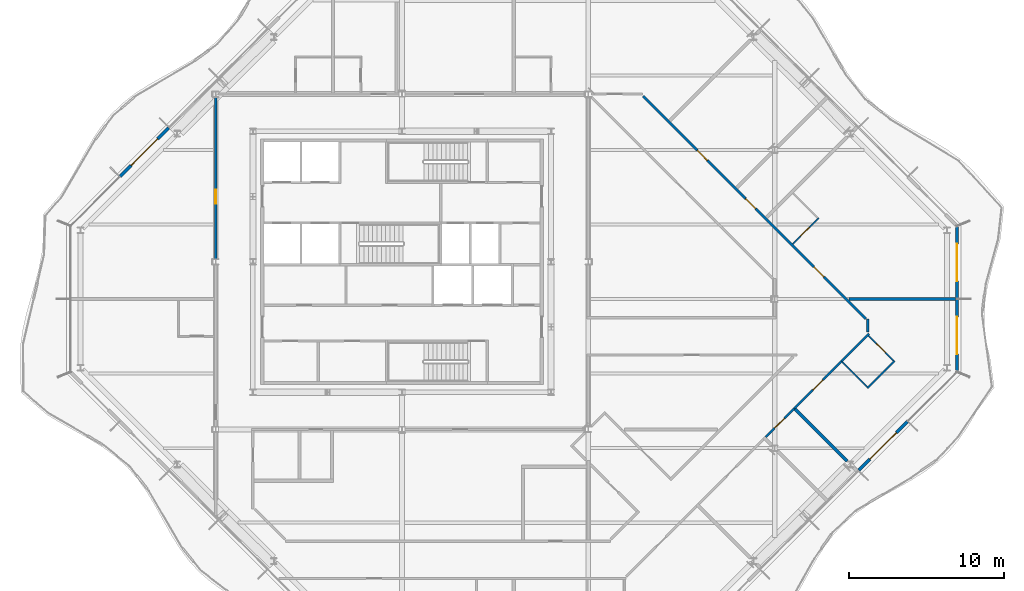
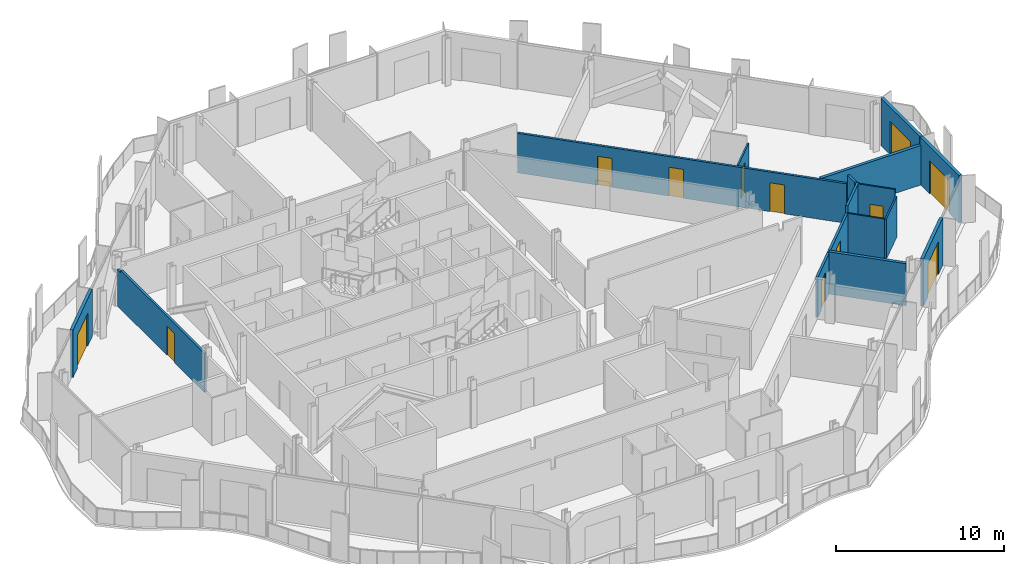
# One storey, part 10 of 17: 16 walls, 12 doors, 12 openings.
"""IFC4 building model written with IfcOpenShell, lengths in metres."""

from ifc_helpers import new_model, si_unit, direction, frame, frame_2d, origin, place, context, subcontext, project, spatial, polyline, rectangle, outline, extrude, material, layer, layer_set, type_object, element, fill, save


model = new_model("IFC4")

# Units and contexts
model_context = context("Model", 3, precision=1e-05, world=origin(), true_north=direction((0.0, 1.0)))
body_context = subcontext(model_context, "Body", "Model", "MODEL_VIEW")
ifc_project = project(units=[si_unit("LENGTHUNIT", "METRE"), si_unit("AREAUNIT", "SQUARE_METRE"), si_unit("VOLUMEUNIT", "CUBIC_METRE"), si_unit("PLANEANGLEUNIT", "RADIAN"), si_unit("MASSUNIT", "GRAM", prefix="KILO")], contexts=[model_context])

# Site, building, storey
site_placement = place(None, origin())
site = spatial("IfcSite", under=ifc_project, at=site_placement, CompositionType="ELEMENT")
building_placement = place(site_placement, origin())
building = spatial("IfcBuilding", under=site, at=building_placement, Name="Cairn Pilgrim Tower", CompositionType="ELEMENT")
storey_placement = place(building_placement, frame((0.0, 0.0, 239.39990234375)))
storey = spatial("IfcBuildingStorey", under=building, at=storey_placement, Name="L61", CompositionType="ELEMENT", Elevation=239.39990234375)

# Wall, opening, door
ifc_material_1 = material(Name="Bronze anodised aluminium insulated sandwich panel with mineral wool fill", Category="aluminium")
ifc_layer_1 = layer(ifc_material_1, 0.199951171875)
ifc_layer_set_1 = layer_set([ifc_layer_1], Name="BRONZE INFILL FRAME WALL 200")
wall_type_1 = type_object("IfcWallType", Name="BRONZE INFILL FRAME WALL 200", PredefinedType="NOTDEFINED", material=ifc_layer_set_1)
wall_1_placement = place(storey_placement, frame((36.6201171875, -11.0263671875, 0.0), z_axis=(0.0, 0.0, 1.0), x_axis=(0.707106781187, 0.707106781187, 0.0)))
wall_1 = element("IfcWall", 1, at=wall_1_placement, inside=storey, type_object=wall_type_1, Name="Bronze infill frame wall IW-SE5", PredefinedType="NOTDEFINED", context=body_context, shape_type="SweptSolid", body=[
    extrude(rectangle(XDim=4.430908203125, YDim=0.199951171875, at=frame_2d((2.21533203125, 0.0))), origin(), (0.0, 0.0, 1.0), 3.4501953125),
])
opening_1_placement = place(wall_1_placement, frame((1.01513671875, 0.0, 0.0)))
opening_1 = element("IfcOpeningElement", 2, at=opening_1_placement, cuts=wall_1, Name="Opening 6104B2", PredefinedType="OPENING", context=body_context, shape_type="SweptSolid", body=[
    extrude(rectangle(XDim=2.39990234375, YDim=2.39990234375, at=frame_2d((1.199951171875, 1.199951171875))), frame((0.0, 0.10986328125, 0.0), z_axis=(0.0, -1.0, 0.0), x_axis=(1.0, 0.0, 0.0)), (0.0, 0.0, 1.0), 0.219970703125),
])
ifc_material_2 = material(Name="Bronze anodised aluminium frame with tinted low-E glass", Category="aluminium")
door_type_1 = type_object("IfcDoorType", Name="BALCONY SLIDING DOOR 2400x2400", OperationType="DOUBLE_DOOR_SLIDING", PredefinedType="DOOR", material=ifc_material_2)
door_1_placement = place(opening_1_placement, origin())
door_1 = element("IfcDoor", 3, at=door_1_placement, inside=storey, type_object=door_type_1, Name="Balcony sliding door 6104B2", OperationType="SINGLE_SWING_LEFT", OverallHeight=2.39990234375, OverallWidth=2.39990234375, PredefinedType="DOOR", context=body_context, shape_type="SweptSolid", body=[
    extrude(rectangle(XDim=2.39990234375, YDim=2.39990234375, at=frame_2d((1.199951171875, 1.199951171875))), frame((0.0, 0.02490234375, 0.0), z_axis=(0.0, -1.0, 0.0), x_axis=(1.0, 0.0, 0.0)), (0.0, 0.0, 1.0), 0.050048828125),
])
fill(opening_1, door_1)

wall_2_placement = place(storey_placement, frame((42.949951171875, -4.656494140625, 0.0), z_axis=(0.0, 0.0, 1.0), x_axis=(0.0, 1.0, 0.0)))
wall_2 = element("IfcWall", 4, at=wall_2_placement, inside=storey, type_object=wall_type_1, Name="Bronze infill frame wall IW-E1", PredefinedType="NOTDEFINED", context=body_context, shape_type="SweptSolid", body=[
    extrude(rectangle(XDim=4.62646484375, YDim=0.199951171875, at=frame_2d((2.313232421875, 0.0))), origin(), (0.0, 0.0, 1.0), 3.4501953125),
])
opening_2_placement = place(wall_2_placement, frame((1.1083984375, 0.0, 0.0)))
opening_2 = element("IfcOpeningElement", 5, at=opening_2_placement, cuts=wall_2, Name="Opening 6104B", PredefinedType="OPENING", context=body_context, shape_type="SweptSolid", body=[
    extrude(rectangle(XDim=2.39990234375, YDim=2.39990234375, at=frame_2d((1.199951171875, 1.199951171875))), frame((0.0, 0.10986328125, 0.0), z_axis=(0.0, -1.0, 0.0), x_axis=(1.0, 0.0, 0.0)), (0.0, 0.0, 1.0), 0.219970703125),
])
door_2_placement = place(opening_2_placement, origin())
door_2 = element("IfcDoor", 6, at=door_2_placement, inside=storey, type_object=door_type_1, Name="Balcony sliding door 6104B", OperationType="SINGLE_SWING_LEFT", OverallHeight=2.39990234375, OverallWidth=2.39990234375, PredefinedType="DOOR", context=body_context, shape_type="SweptSolid", body=[
    extrude(rectangle(XDim=2.39990234375, YDim=2.39990234375, at=frame_2d((1.199951171875, 1.199951171875))), frame((0.0, 0.02490234375, 0.0), z_axis=(0.0, -1.0, 0.0), x_axis=(1.0, 0.0, 0.0)), (0.0, 0.0, 1.0), 0.050048828125),
])
fill(opening_2, door_2)

wall_3_placement = place(storey_placement, frame((42.949951171875, 0.030029296875, 0.0), z_axis=(0.0, 0.0, 1.0), x_axis=(0.0, 1.0, 0.0)))
wall_3 = element("IfcWall", 7, at=wall_3_placement, inside=storey, type_object=wall_type_1, Name="Bronze infill frame wall IW-E2", PredefinedType="NOTDEFINED", context=body_context, shape_type="SweptSolid", body=[
    extrude(rectangle(XDim=4.62646484375, YDim=0.199951171875, at=frame_2d((2.313232421875, 0.0))), origin(), (0.0, 0.0, 1.0), 3.4501953125),
])
opening_3_placement = place(wall_3_placement, frame((1.117919921875, 0.0, 0.0)))
opening_3 = element("IfcOpeningElement", 8, at=opening_3_placement, cuts=wall_3, Name="Opening 6105B2", PredefinedType="OPENING", context=body_context, shape_type="SweptSolid", body=[
    extrude(rectangle(XDim=2.39990234375, YDim=2.39990234375, at=frame_2d((1.199951171875, 1.199951171875))), frame((0.0, 0.10986328125, 0.0), z_axis=(0.0, -1.0, 0.0), x_axis=(1.0, 0.0, 0.0)), (0.0, 0.0, 1.0), 0.219970703125),
])
door_3_placement = place(opening_3_placement, origin())
door_3 = element("IfcDoor", 9, at=door_3_placement, inside=storey, type_object=door_type_1, Name="Balcony sliding door 6105B2", OperationType="SINGLE_SWING_LEFT", OverallHeight=2.39990234375, OverallWidth=2.39990234375, PredefinedType="DOOR", context=body_context, shape_type="SweptSolid", body=[
    extrude(rectangle(XDim=2.39990234375, YDim=2.39990234375, at=frame_2d((1.199951171875, 1.199951171875))), frame((0.0, 0.02490234375, 0.0), z_axis=(0.0, -1.0, 0.0), x_axis=(1.0, 0.0, 0.0)), (0.0, 0.0, 1.0), 0.050048828125),
])
fill(opening_3, door_3)

wall_4_placement = place(storey_placement, frame((-7.820068359375, 11.0263671875, 0.0), z_axis=(0.0, 0.0, 1.0), x_axis=(-0.707106781187, -0.707106781187, 0.0)))
wall_4 = element("IfcWall", 10, at=wall_4_placement, inside=storey, type_object=wall_type_1, Name="Bronze infill frame wall IW-NW5", PredefinedType="NOTDEFINED", context=body_context, shape_type="SweptSolid", body=[
    extrude(rectangle(XDim=4.430908203125, YDim=0.199951171875, at=frame_2d((2.21533203125, 0.0))), origin(), (0.0, 0.0, 1.0), 3.4501953125),
])
opening_4_placement = place(wall_4_placement, frame((1.015869140625, 0.0, 0.0)))
opening_4 = element("IfcOpeningElement", 11, at=opening_4_placement, cuts=wall_4, Name="Opening 6111B", PredefinedType="OPENING", context=body_context, shape_type="SweptSolid", body=[
    extrude(rectangle(XDim=2.39990234375, YDim=2.39990234375, at=frame_2d((1.199951171875, 1.199951171875))), frame((0.0, 0.10986328125, 0.0), z_axis=(0.0, -1.0, 0.0), x_axis=(1.0, 0.0, 0.0)), (0.0, 0.0, 1.0), 0.219970703125),
])
door_4_placement = place(opening_4_placement, origin())
door_4 = element("IfcDoor", 12, at=door_4_placement, inside=storey, type_object=door_type_1, Name="Balcony sliding door 6111B", OperationType="SINGLE_SWING_LEFT", OverallHeight=2.39990234375, OverallWidth=2.39990234375, PredefinedType="DOOR", context=body_context, shape_type="SweptSolid", body=[
    extrude(rectangle(XDim=2.39990234375, YDim=2.39990234375, at=frame_2d((1.199951171875, 1.199951171875))), frame((0.0, 0.02490234375, 0.0), z_axis=(0.0, -1.0, 0.0), x_axis=(1.0, 0.0, 0.0)), (0.0, 0.0, 1.0), 0.050048828125),
])
fill(opening_4, door_4)

# Walls
ifc_material_3 = material(Name="Gypsum partition")
ifc_layer_2 = layer(ifc_material_3, 0.10009765625)
ifc_layer_set_2 = layer_set([ifc_layer_2], Name="PARTITION 100 DRYWALL")
wall_type_2 = type_object("IfcWallType", Name="PARTITION 100 DRYWALL", PredefinedType="PARTITIONING", material=ifc_layer_set_2)
wall_5_placement = place(storey_placement, frame((37.16455078125, -5.673583984375, 0.0), z_axis=(0.0, 0.0, 1.0), x_axis=(-0.707106781187, 0.707106781187, 0.0)))
element("IfcWall", 13, at=wall_5_placement, inside=storey, type_object=wall_type_2, Name="PARTITION W042", PredefinedType="PARTITIONING", context=body_context, shape_type="SweptSolid", body=[
    extrude(rectangle(XDim=2.27490234375, YDim=0.10009765625, at=frame_2d((1.137451171875, 0.0))), origin(), (0.0, 0.0, 1.0), 2.93017578125),
])
wall_6_placement = place(storey_placement, frame((37.16455078125, -5.744384765625, 0.0), z_axis=(0.0, 0.0, 1.0), x_axis=(0.707155609469, 0.707057949532, 0.0)))
element("IfcWall", 14, at=wall_6_placement, inside=storey, type_object=wall_type_2, Name="PARTITION W043", PredefinedType="PARTITIONING", context=body_context, shape_type="SweptSolid", body=[
    extrude(rectangle(XDim=2.5, YDim=0.10009765625, at=frame_2d((1.25, 0.0))), origin(), (0.0, 0.0, 1.0), 2.93017578125),
])

# Wall, opening, door
wall_7_placement = place(storey_placement, frame((38.861572265625, -3.9765625, 0.0), z_axis=(0.0, 0.0, 1.0), x_axis=(-0.707106781187, 0.707106781187, 0.0)))
wall_7 = element("IfcWall", 15, at=wall_7_placement, inside=storey, type_object=wall_type_2, Name="PARTITION W045", PredefinedType="PARTITIONING", context=body_context, shape_type="SweptSolid", body=[
    extrude(rectangle(XDim=2.27490234375, YDim=0.10009765625, at=frame_2d((1.137451171875, 0.0))), origin(), (0.0, 0.0, 1.0), 3.4501953125),
])
opening_5_placement = place(wall_7_placement, frame((0.75, 0.0, 0.0)))
opening_5 = element("IfcOpeningElement", 16, at=opening_5_placement, cuts=wall_7, Name="Opening 6104A", PredefinedType="OPENING", context=body_context, shape_type="SweptSolid", body=[
    extrude(rectangle(XDim=0.800048828125, YDim=2.10009765625, at=frame_2d((0.39990234375, 1.050048828125))), frame((0.0, 0.06005859375, 0.0), z_axis=(0.0, -1.0, 0.0), x_axis=(1.0, 0.0, 0.0)), (0.0, 0.0, 1.0), 0.1201171875),
])
ifc_material_4 = material(Name="Timber door leaf", Category="wood")
door_type_2 = type_object("IfcDoorType", Name="WC DOOR 800x2100", OperationType="NOTDEFINED", PredefinedType="DOOR", material=ifc_material_4)
door_5_placement = place(opening_5_placement, frame((0.800048828125, 0.0, 0.0), z_axis=(0.0, 0.0, 1.0), x_axis=(-1.0, 0.0, 0.0)))
door_5 = element("IfcDoor", 17, at=door_5_placement, inside=storey, type_object=door_type_2, Name="DOOR 6104A", OperationType="SINGLE_SWING_RIGHT", OverallHeight=2.10009765625, OverallWidth=0.800048828125, PredefinedType="DOOR", context=body_context, shape_type="SweptSolid", body=[
    extrude(rectangle(XDim=0.800048828125, YDim=2.10009765625, at=frame_2d((0.39990234375, 1.050048828125))), frame((0.0, 0.02490234375, 0.0), z_axis=(0.0, -1.0, 0.0), x_axis=(1.0, 0.0, 0.0)), (0.0, 0.0, 1.0), 0.050048828125),
])
fill(opening_5, door_5)

wall_8_placement = place(storey_placement, frame((32.35888671875, 3.541015625, 0.0), z_axis=(0.0, 0.0, 1.0), x_axis=(0.707158179099, 0.707055379538, 0.0)))
wall_8 = element("IfcWall", 18, at=wall_8_placement, inside=storey, type_object=wall_type_2, Name="PARTITION W060", PredefinedType="PARTITIONING", context=body_context, shape_type="SweptSolid", body=[
    extrude(rectangle(XDim=2.375, YDim=0.10009765625, at=frame_2d((1.1875, 0.0))), origin(), (0.0, 0.0, 1.0), 2.93017578125),
])
opening_6_placement = place(wall_8_placement, frame((0.72509765625, 0.0, 0.0)))
opening_6 = element("IfcOpeningElement", 19, at=opening_6_placement, cuts=wall_8, Name="Opening 6105A", PredefinedType="OPENING", context=body_context, shape_type="SweptSolid", body=[
    extrude(rectangle(XDim=0.800048828125, YDim=2.10009765625, at=frame_2d((0.39990234375, 1.050048828125))), frame((0.0, 0.06005859375, 0.0), z_axis=(0.0, -1.0, 0.0), x_axis=(1.0, 0.0, 0.0)), (0.0, 0.0, 1.0), 0.1201171875),
])
door_6_placement = place(opening_6_placement, frame((0.800048828125, 0.0, 0.0), z_axis=(0.0, 0.0, 1.0), x_axis=(-1.0, 0.0, 0.0)))
door_6 = element("IfcDoor", 20, at=door_6_placement, inside=storey, type_object=door_type_2, Name="DOOR 6105A", OperationType="SINGLE_SWING_RIGHT", OverallHeight=2.10009765625, OverallWidth=0.800048828125, PredefinedType="DOOR", context=body_context, shape_type="SweptSolid", body=[
    extrude(rectangle(XDim=0.800048828125, YDim=2.10009765625, at=frame_2d((0.39990234375, 1.050048828125))), frame((0.0, 0.02490234375, 0.0), z_axis=(0.0, -1.0, 0.0), x_axis=(1.0, 0.0, 0.0)), (0.0, 0.0, 1.0), 0.050048828125),
])
fill(opening_6, door_6)

ifc_layer_3 = layer(ifc_material_3, 0.14990234375)
ifc_layer_set_3 = layer_set([ifc_layer_3], Name="PARTITION 150 DRYWALL EI 60")
wall_type_3 = type_object("IfcWallType", Name="PARTITION 150 DRYWALL EI 60", PredefinedType="PARTITIONING", material=ifc_layer_set_3)
wall_9_placement = place(storey_placement, frame((30.627685546875, -8.88623046875, 0.0), z_axis=(0.0, 0.0, 1.0), x_axis=(0.707106781187, 0.707106781187, 0.0)))
wall_9 = element("IfcWall", 21, at=wall_9_placement, inside=storey, type_object=wall_type_3, Name="PARTITION W033", PredefinedType="PARTITIONING", context=body_context, shape_type="SweptSolid", body=[
    extrude(rectangle(XDim=2.60400390625, YDim=0.14990234375, at=frame_2d((1.302001953125, 0.0))), origin(), (0.0, 0.0, 1.0), 2.93017578125),
])
opening_7_placement = place(wall_9_placement, frame((0.802001953125, 0.0, 0.0)))
opening_7 = element("IfcOpeningElement", 22, at=opening_7_placement, cuts=wall_9, Name="Opening 6103", PredefinedType="OPENING", context=body_context, shape_type="SweptSolid", body=[
    extrude(rectangle(XDim=0.89990234375, YDim=2.10009765625, at=frame_2d((0.449951171875, 1.050048828125))), frame((0.0, 0.0849609375, 0.0), z_axis=(0.0, -1.0, 0.0), x_axis=(1.0, 0.0, 0.0)), (0.0, 0.0, 1.0), 0.169921875),
])
door_type_3 = type_object("IfcDoorType", Name="SERVICE DOOR 900x2100 FD30S", OperationType="NOTDEFINED", PredefinedType="DOOR", material=ifc_material_4)
door_7_placement = place(opening_7_placement, frame((0.89990234375, 0.0, 0.0), z_axis=(0.0, 0.0, 1.0), x_axis=(-1.0, 0.0, 0.0)))
door_7 = element("IfcDoor", 23, at=door_7_placement, inside=storey, type_object=door_type_3, Name="DOOR 6103", OperationType="SINGLE_SWING_RIGHT", OverallHeight=2.10009765625, OverallWidth=0.89990234375, PredefinedType="DOOR", context=body_context, shape_type="SweptSolid", body=[
    extrude(rectangle(XDim=0.89990234375, YDim=2.10009765625, at=frame_2d((0.449951171875, 1.050048828125))), frame((0.0, 0.02490234375, 0.0), z_axis=(0.0, -1.0, 0.0), x_axis=(1.0, 0.0, 0.0)), (0.0, 0.0, 1.0), 0.050048828125),
])
fill(opening_7, door_7)

wall_10_placement = place(storey_placement, frame((32.468994140625, -7.044921875, 0.0), z_axis=(0.0, 0.0, 1.0), x_axis=(0.70722059203, 0.706992952022, 0.0)))
wall_10 = element("IfcWall", 24, at=wall_10_placement, inside=storey, type_object=wall_type_3, Name="PARTITION W041", PredefinedType="PARTITIONING", context=body_context, shape_type="SweptSolid", body=[
    extrude(rectangle(XDim=4.2900390625, YDim=0.14990234375, at=frame_2d((2.14501953125, 0.0))), origin(), (0.0, 0.0, 1.0), 2.93017578125),
])
opening_8_placement = place(wall_10_placement, frame((1.695068359375, 0.0, 0.0)))
opening_8 = element("IfcOpeningElement", 25, at=opening_8_placement, cuts=wall_10, Name="Opening 6104", PredefinedType="OPENING", context=body_context, shape_type="SweptSolid", body=[
    extrude(rectangle(XDim=0.89990234375, YDim=2.10009765625, at=frame_2d((0.449951171875, 1.050048828125))), frame((0.0, 0.0849609375, 0.0), z_axis=(0.0, -1.0, 0.0), x_axis=(1.0, 0.0, 0.0)), (0.0, 0.0, 1.0), 0.169921875),
])
door_type_4 = type_object("IfcDoorType", Name="ROOM DOOR 900x2100 FD30S", OperationType="NOTDEFINED", PredefinedType="DOOR", material=ifc_material_4)
door_8_placement = place(opening_8_placement, frame((0.89990234375, 0.0, 0.0), z_axis=(0.0, 0.0, 1.0), x_axis=(-1.0, 0.0, 0.0)))
door_8 = element("IfcDoor", 26, at=door_8_placement, inside=storey, type_object=door_type_4, Name="DOOR 6104", OperationType="SINGLE_SWING_RIGHT", OverallHeight=2.10009765625, OverallWidth=0.89990234375, PredefinedType="DOOR", context=body_context, shape_type="SweptSolid", body=[
    extrude(rectangle(XDim=0.89990234375, YDim=2.10009765625, at=frame_2d((0.449951171875, 1.050048828125))), frame((0.0, 0.02490234375, 0.0), z_axis=(0.0, -1.0, 0.0), x_axis=(1.0, 0.0, 0.0)), (0.0, 0.0, 1.0), 0.050048828125),
])
fill(opening_8, door_8)

# Walls
wall_11_placement = place(storey_placement, frame((35.5029296875, -4.011962890625, 0.0), z_axis=(0.0, 0.0, 1.0), x_axis=(0.707106781187, 0.707106781187, 0.0)))
element("IfcWall", 27, at=wall_11_placement, inside=storey, type_object=wall_type_3, Name="PARTITION W044", PredefinedType="PARTITIONING", context=body_context, shape_type="SweptSolid", body=[
    extrude(rectangle(XDim=2.505859375, YDim=0.14990234375, at=frame_2d((1.2529296875, 0.0))), origin(), (0.0, 0.0, 1.0), 3.4501953125),
])
wall_12_placement = place(storey_placement, frame((37.199951171875, -2.1337890625, 0.0), z_axis=(0.0, 0.0, 1.0), x_axis=(0.0, 1.0, 0.0)))
element("IfcWall", 28, at=wall_12_placement, inside=storey, type_object=wall_type_3, Name="PARTITION W049", PredefinedType="PARTITIONING", context=body_context, shape_type="SweptSolid", body=[
    extrude(rectangle(XDim=0.833984375, YDim=0.14990234375, at=frame_2d((0.4169921875, 0.0))), origin(), (0.0, 0.0, 1.0), 3.4501953125),
])

# Wall, openings, doors
wall_13_placement = place(storey_placement, frame((37.072021484375, -1.278076171875, 0.0), z_axis=(0.0, 0.0, 1.0), x_axis=(-0.707106781187, 0.707106781187, 0.0)))
wall_13 = element("IfcWall", 29, at=wall_13_placement, inside=storey, type_object=wall_type_3, Name="PARTITION W050", PredefinedType="PARTITIONING", context=body_context, shape_type="SweptSolid", body=[
    extrude(rectangle(XDim=20.294189453125, YDim=0.14990234375, at=frame_2d((10.14697265625, 0.0))), origin(), (0.0, 0.0, 1.0), 2.880126953125),
])
opening_9_placement = place(wall_13_placement, frame((3.823974609375, 0.0, 0.0)))
opening_9 = element("IfcOpeningElement", 30, at=opening_9_placement, cuts=wall_13, Name="Opening 6105", PredefinedType="OPENING", context=body_context, shape_type="SweptSolid", body=[
    extrude(rectangle(XDim=0.89990234375, YDim=2.10009765625, at=frame_2d((0.449951171875, 1.050048828125))), frame((0.0, 0.0849609375, 0.0), z_axis=(0.0, -1.0, 0.0), x_axis=(1.0, 0.0, 0.0)), (0.0, 0.0, 1.0), 0.169921875),
])
opening_10_placement = place(wall_13_placement, frame((10.0419921875, 0.0, 0.0)))
opening_10 = element("IfcOpeningElement", 31, at=opening_10_placement, cuts=wall_13, Name="Opening 6106", PredefinedType="OPENING", context=body_context, shape_type="SweptSolid", body=[
    extrude(rectangle(XDim=0.89990234375, YDim=2.10009765625, at=frame_2d((0.449951171875, 1.050048828125))), frame((0.0, 0.0849609375, 0.0), z_axis=(0.0, -1.0, 0.0), x_axis=(1.0, 0.0, 0.0)), (0.0, 0.0, 1.0), 0.169921875),
])
opening_11_placement = place(wall_13_placement, frame((14.443115234375, 0.0, 0.0)))
opening_11 = element("IfcOpeningElement", 32, at=opening_11_placement, cuts=wall_13, Name="Opening 6107", PredefinedType="OPENING", context=body_context, shape_type="SweptSolid", body=[
    extrude(rectangle(XDim=0.89990234375, YDim=2.10009765625, at=frame_2d((0.449951171875, 1.050048828125))), frame((0.0, 0.0849609375, 0.0), z_axis=(0.0, -1.0, 0.0), x_axis=(1.0, 0.0, 0.0)), (0.0, 0.0, 1.0), 0.169921875),
])
door_9_placement = place(opening_9_placement, frame((0.89990234375, 0.0, 0.0), z_axis=(0.0, 0.0, 1.0), x_axis=(-1.0, 0.0, 0.0)))
door_9 = element("IfcDoor", 33, at=door_9_placement, inside=storey, type_object=door_type_4, Name="DOOR 6105", OperationType="SINGLE_SWING_RIGHT", OverallHeight=2.10009765625, OverallWidth=0.89990234375, PredefinedType="DOOR", context=body_context, shape_type="SweptSolid", body=[
    extrude(rectangle(XDim=0.89990234375, YDim=2.10009765625, at=frame_2d((0.449951171875, 1.050048828125))), frame((0.0, 0.02490234375, 0.0), z_axis=(0.0, -1.0, 0.0), x_axis=(1.0, 0.0, 0.0)), (0.0, 0.0, 1.0), 0.050048828125),
])
fill(opening_9, door_9)
door_10_placement = place(opening_10_placement, frame((0.89990234375, 0.0, 0.0), z_axis=(0.0, 0.0, 1.0), x_axis=(-1.0, 0.0, 0.0)))
door_10 = element("IfcDoor", 34, at=door_10_placement, inside=storey, type_object=door_type_3, Name="DOOR 6106", OperationType="SINGLE_SWING_RIGHT", OverallHeight=2.10009765625, OverallWidth=0.89990234375, PredefinedType="DOOR", context=body_context, shape_type="SweptSolid", body=[
    extrude(rectangle(XDim=0.89990234375, YDim=2.10009765625, at=frame_2d((0.449951171875, 1.050048828125))), frame((0.0, 0.02490234375, 0.0), z_axis=(0.0, -1.0, 0.0), x_axis=(1.0, 0.0, 0.0)), (0.0, 0.0, 1.0), 0.050048828125),
])
fill(opening_10, door_10)
door_11_placement = place(opening_11_placement, frame((0.89990234375, 0.0, 0.0), z_axis=(0.0, 0.0, 1.0), x_axis=(-1.0, 0.0, 0.0)))
door_11 = element("IfcDoor", 35, at=door_11_placement, inside=storey, type_object=door_type_3, Name="DOOR 6107", OperationType="SINGLE_SWING_RIGHT", OverallHeight=2.10009765625, OverallWidth=0.89990234375, PredefinedType="DOOR", context=body_context, shape_type="SweptSolid", body=[
    extrude(rectangle(XDim=0.89990234375, YDim=2.10009765625, at=frame_2d((0.449951171875, 1.050048828125))), frame((0.0, 0.02490234375, 0.0), z_axis=(0.0, -1.0, 0.0), x_axis=(1.0, 0.0, 0.0)), (0.0, 0.0, 1.0), 0.050048828125),
])
fill(opening_11, door_11)

# Wall, opening, door
wall_14_placement = place(storey_placement, frame((-4.800048828125, 2.58740234375, 0.0), z_axis=(0.0, 0.0, 1.0), x_axis=(0.0, 1.0, 0.0)))
wall_14 = element("IfcWall", 36, at=wall_14_placement, inside=storey, type_object=wall_type_3, Name="PARTITION W058", PredefinedType="PARTITIONING", context=body_context, shape_type="SweptSolid", body=[
    extrude(outline(polyline([(0.0, 0.0), (10.425048828125, 0.0), (10.425048828125, 2.630126953125), (9.9697265625, 2.630126953125), (9.9677734375, 2.830078125), (0.0, 2.830078125), (0.0, 0.0)])), frame((0.0, 0.074951171875, 0.0), z_axis=(0.0, -1.0, 0.0), x_axis=(1.0, 0.0, 0.0)), (0.0, 0.0, 1.0), 0.14990234375),
])
opening_12_placement = place(wall_14_placement, frame((3.5625, 0.0, 0.0)))
opening_12 = element("IfcOpeningElement", 37, at=opening_12_placement, cuts=wall_14, Name="Opening 6111", PredefinedType="OPENING", context=body_context, shape_type="SweptSolid", body=[
    extrude(rectangle(XDim=0.89990234375, YDim=2.10009765625, at=frame_2d((0.449951171875, 1.050048828125))), frame((0.0, 0.0849609375, 0.0), z_axis=(0.0, -1.0, 0.0), x_axis=(1.0, 0.0, 0.0)), (0.0, 0.0, 1.0), 0.169921875),
])
door_12_placement = place(opening_12_placement, origin())
door_12 = element("IfcDoor", 38, at=door_12_placement, inside=storey, type_object=door_type_4, Name="DOOR 6111", OperationType="SINGLE_SWING_LEFT", OverallHeight=2.10009765625, OverallWidth=0.89990234375, PredefinedType="DOOR", context=body_context, shape_type="SweptSolid", body=[
    extrude(rectangle(XDim=0.89990234375, YDim=2.10009765625, at=frame_2d((0.449951171875, 1.050048828125))), frame((0.0, 0.02490234375, 0.0), z_axis=(0.0, -1.0, 0.0), x_axis=(1.0, 0.0, 0.0)), (0.0, 0.0, 1.0), 0.050048828125),
])
fill(opening_12, door_12)

# Walls
ifc_layer_4 = layer(ifc_material_3, 0.199951171875)
ifc_layer_set_4 = layer_set([ifc_layer_4], Name="SHAFT WALL 200 GYPSUM EI 60")
wall_type_4 = type_object("IfcWallType", Name="SHAFT WALL 200 GYPSUM EI 60", PredefinedType="PARTITIONING", material=ifc_layer_set_4)
wall_15_placement = place(storey_placement, frame((35.872802734375, -10.448974609375, 0.0), z_axis=(0.0, 0.0, 1.0), x_axis=(-0.707081021846, 0.707132539589, 0.0)))
element("IfcWall", 39, at=wall_15_placement, inside=storey, type_object=wall_type_4, Name="PARTITION W030", PredefinedType="PARTITIONING", context=body_context, shape_type="SweptSolid", body=[
    extrude(rectangle(XDim=4.739013671875, YDim=0.199951171875, at=frame_2d((2.36962890625, 0.0))), origin(), (0.0, 0.0, 1.0), 3.070068359375),
])
wall_16_placement = place(storey_placement, frame((36.0, 0.0, 0.0), z_axis=(0.0, 0.0, 1.0), x_axis=(1.0, 0.0, 0.0)))
element("IfcWall", 40, at=wall_16_placement, inside=storey, type_object=wall_type_4, Name="PARTITION W055", PredefinedType="PARTITIONING", context=body_context, shape_type="SweptSolid", body=[
    extrude(rectangle(XDim=6.85009765625, YDim=0.199951171875, at=frame_2d((3.425048828125, 0.0))), origin(), (0.0, 0.0, 1.0), 2.880126953125),
])

save(model, "model.ifc")
